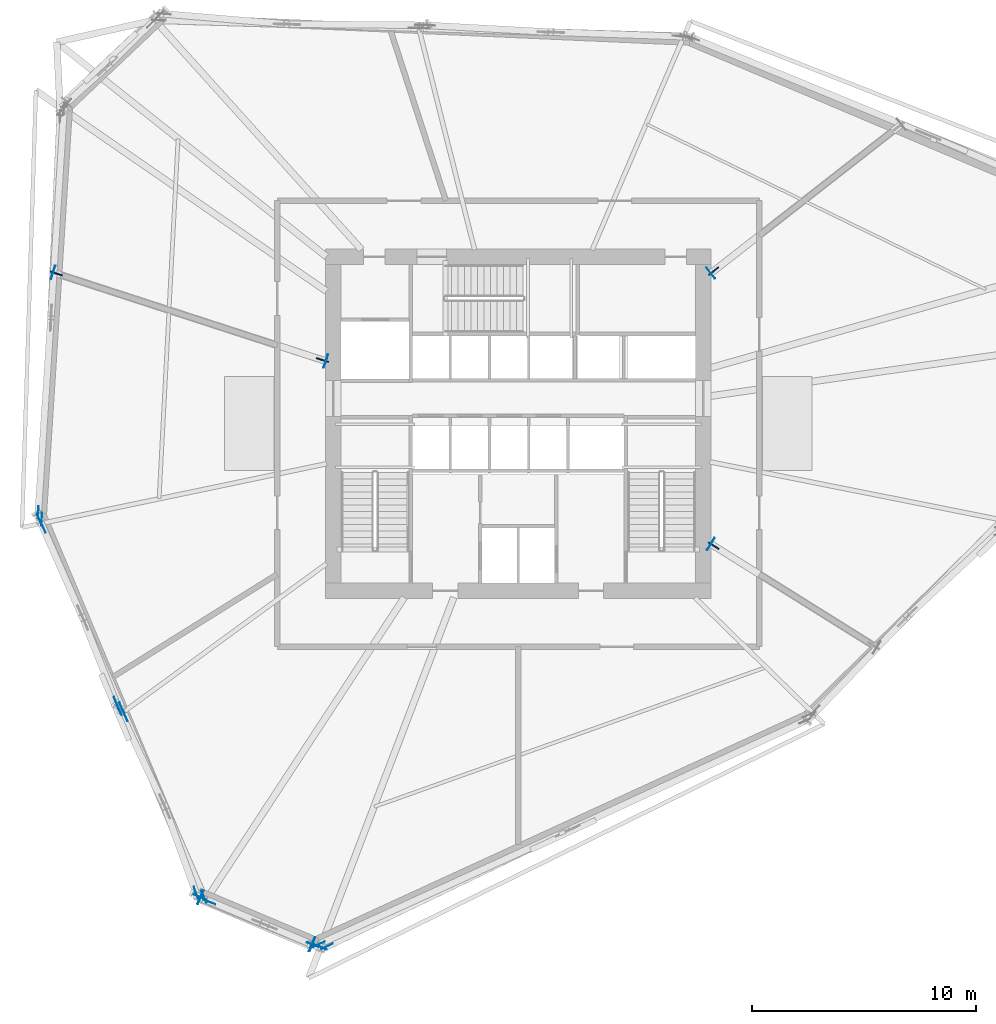
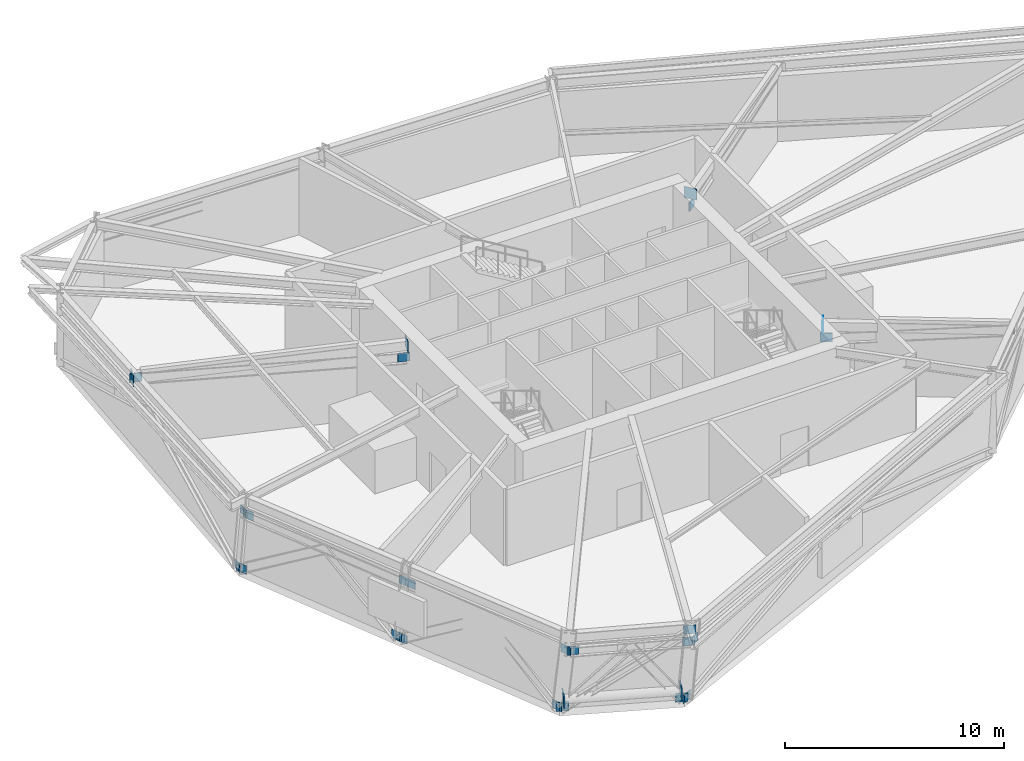
# One storey, part 5 of 15: 28 plates.
"""IFC4 building model written with IfcOpenShell, lengths in metres."""

import ifcopenshell
import ifcopenshell.guid

model = None  # the IFC model being written
_history = None  # IfcOwnerHistory: only IFC2X3 demands one
_inside = {}  # id of a spatial element -> (the spatial element, [elements in it])
_under = {}  # id of a project, library or spatial element -> (it, [spatial elements below it])
_declared = {}  # id of a project -> (the project, [libraries it declares])
_typed = {}  # id of a type object -> (the type object, [elements of that type])
_made_of = {}  # id of a material, layer set ... -> (it, [elements and type objects made of it])


def new_model(schema):
    """Start an empty IFC model of exactly this schema.

    Asked for "IFC4X3", IfcOpenShell would pick the latest addendum, in which some entities
    have other attributes; the version numbers below select the first issue.
    IFC2X3 requires an IfcOwnerHistory on every rooted entity: one is made here for all.
    """
    global model, _history
    if schema == "IFC4X3":
        model = ifcopenshell.file(schema_version=(4, 3, 0, 0))
    else:
        model = ifcopenshell.file(schema=schema)
    _inside.clear()
    _under.clear()
    _declared.clear()
    _typed.clear()
    _made_of.clear()
    _history = None
    if model.schema == "IFC2X3":
        org = make("IfcOrganization", Name="unknown")
        user = make(
            "IfcPersonAndOrganization",
            ThePerson=make("IfcPerson", FamilyName="unknown"),
            TheOrganization=org,
        )
        app = make(
            "IfcApplication",
            ApplicationDeveloper=org,
            Version="unknown",
            ApplicationFullName="unknown",
            ApplicationIdentifier="unknown",
        )
        _history = make(
            "IfcOwnerHistory",
            OwningUser=user,
            OwningApplication=app,
            ChangeAction="ADDED",
            CreationDate=0,
        )
    return model


def make(cls, **values):
    """One entity of the class cls with the attributes given. An attribute that is None is left unset."""
    return model.create_entity(
        cls, **{name: value for name, value in values.items() if value is not None}
    )


def rooted(cls, **values):
    """An entity with a GlobalId (a new one), such as an element, a storey or a relation."""
    return make(cls, GlobalId=ifcopenshell.guid.new(), OwnerHistory=_history, **values)


def si_unit(unit_type, name, prefix=None):
    """IfcSIUnit, for example si_unit("LENGTHUNIT", "METRE", prefix="MILLI")."""
    return make("IfcSIUnit", UnitType=unit_type, Prefix=prefix, Name=name)


def assignment(units):
    """IfcUnitAssignment: the units of a project."""
    return None if units is None else make("IfcUnitAssignment", Units=units)


def point(xyz):
    """IfcCartesianPoint."""
    return None if xyz is None else make("IfcCartesianPoint", Coordinates=xyz)


def direction(xyz):
    """IfcDirection."""
    return None if xyz is None else make("IfcDirection", DirectionRatios=xyz)


def frame(location, z_axis=None, x_axis=None):
    """IfcAxis2Placement3D, a coordinate frame: its origin and axes. An axis left out is left unset."""
    return make(
        "IfcAxis2Placement3D",
        Location=point(location),
        Axis=direction(z_axis),
        RefDirection=direction(x_axis),
    )


def frame_2d(location, x_axis=None):
    """IfcAxis2Placement2D, a coordinate frame in the plane: its origin and x axis."""
    return make(
        "IfcAxis2Placement2D", Location=point(location), RefDirection=direction(x_axis)
    )


def origin():
    """The frame at (0, 0, 0) with its axes left unset."""
    return frame((0.0, 0.0, 0.0))


def origin_2d():
    """The frame at (0, 0) in the plane with its x axis left unset."""
    return frame_2d((0.0, 0.0))


def place(relative_to, where):
    """IfcLocalPlacement: puts the frame where relative to a parent placement (None: the world)."""
    return make(
        "IfcLocalPlacement", PlacementRelTo=relative_to, RelativePlacement=where
    )


def context(
    kind, dimensions, precision=None, world=None, true_north=None, identifier=None
):
    """IfcGeometricRepresentationContext, for example the 3D "Model" context."""
    return make(
        "IfcGeometricRepresentationContext",
        ContextIdentifier=identifier,
        ContextType=kind,
        CoordinateSpaceDimension=dimensions,
        Precision=precision,
        WorldCoordinateSystem=world,
        TrueNorth=true_north,
    )


def subcontext(parent, identifier, kind, view, scale=None):
    """IfcGeometricRepresentationSubContext, for example "Body" below "Model"."""
    return make(
        "IfcGeometricRepresentationSubContext",
        ContextIdentifier=identifier,
        ContextType=kind,
        ParentContext=parent,
        TargetScale=scale,
        TargetView=view,
    )


def project(units=None, contexts=None):
    """IfcProject with its units and contexts."""
    return rooted(
        "IfcProject",
        Name="project",
        RepresentationContexts=contexts,
        UnitsInContext=assignment(units),
    )


def spatial(cls, under=None, at=None, **own):
    """A site, building, storey or space (cls), placed at a placement, below another one or the project."""
    s = rooted(cls, ObjectPlacement=at, **own)
    if under is not None:
        _under.setdefault(under.id(), (under, []))[1].append(s)
    return s


def profile(cls, at=None, kind="AREA", **sizes):
    """A parametric profile (cls). Its sizes go by their IFC names, for example OverallWidth=200.0."""
    return make(cls, ProfileType=kind, Position=at, **sizes)


def rectangle(**sizes):
    """IfcRectangleProfileDef."""
    return profile("IfcRectangleProfileDef", **sizes)


def extrude(swept, where, along, depth):
    """IfcExtrudedAreaSolid: the profile swept, set in the frame where, extruded along a direction by depth."""
    return make(
        "IfcExtrudedAreaSolid",
        SweptArea=swept,
        Position=where,
        ExtrudedDirection=direction(along),
        Depth=depth,
    )


def shape(context_of_items, identifier, shape_type, items):
    """IfcShapeRepresentation: the items that make up one representation, for example the "Body"."""
    return make(
        "IfcShapeRepresentation",
        ContextOfItems=context_of_items,
        RepresentationIdentifier=identifier,
        RepresentationType=shape_type,
        Items=items,
    )


def source(mapping_origin, context_of_items, identifier, shape_type, items):
    """IfcRepresentationMap: a shape defined once, which mapped items show again and again."""
    return make(
        "IfcRepresentationMap",
        MappingOrigin=mapping_origin,
        MappedRepresentation=shape(context_of_items, identifier, shape_type, items),
    )


def transform(
    local_origin,
    x_axis=None,
    y_axis=None,
    z_axis=None,
    scale=None,
    scale2=None,
    scale3=None,
    uniform=True,
):
    """IfcCartesianTransformationOperator3D, or its non-uniform kind. x_axis, y_axis, z_axis: its Axis1, 2, 3."""
    if uniform:
        return make(
            "IfcCartesianTransformationOperator3D",
            Axis1=direction(x_axis),
            Axis2=direction(y_axis),
            LocalOrigin=point(local_origin),
            Scale=scale,
            Axis3=direction(z_axis),
        )
    return make(
        "IfcCartesianTransformationOperator3DnonUniform",
        Axis1=direction(x_axis),
        Axis2=direction(y_axis),
        LocalOrigin=point(local_origin),
        Scale=scale,
        Axis3=direction(z_axis),
        Scale2=scale2,
        Scale3=scale3,
    )


def mapped(mapping_source, mapping_target):
    """IfcMappedItem: shows the shape of a source again, moved by a transform."""
    return make(
        "IfcMappedItem", MappingSource=mapping_source, MappingTarget=mapping_target
    )


def material(Name=None, Category=None):
    """IfcMaterial."""
    return make("IfcMaterial", Name=Name, Category=Category)


def made_of(thing, what):
    """Note that an element or type object is made of a material, layer set ...; save() writes the relation."""
    if what is not None:
        _made_of.setdefault(what.id(), (what, []))[1].append(thing)
    return thing


def type_object(cls, material=None, **own):
    """A type object (cls), such as IfcWallType, which elements share."""
    return made_of(rooted(cls, **own), material)


def element(
    cls,
    number,
    at=None,
    inside=None,
    cuts=None,
    type_object=None,
    material=None,
    context=None,
    identifier="Body",
    shape_type=None,
    held_by="IfcProductDefinitionShape",
    body=None,
    shapes=None,
    **own,
):
    """One element of the class cls, such as IfcWall. Its Tag is "e" and its number.

    at: its placement. inside: the storey or other place that contains it. cuts: it is an
    opening in that element (IfcRelVoidsElement). A single representation is given by context,
    identifier, shape_type and body (its items); several are given by shapes. held_by: the class
    of the entity that holds the representations. save() writes the other relations.
    """
    e = rooted(cls, Tag="e%d" % number, ObjectPlacement=at, **own)
    if body is not None:
        shapes = [shape(context, identifier, shape_type, body)]
    if shapes is not None:
        e.Representation = make(held_by, Representations=shapes)
    if inside is not None:
        _inside.setdefault(inside.id(), (inside, []))[1].append(e)
    if cuts is not None:
        rooted(
            "IfcRelVoidsElement", RelatingBuildingElement=cuts, RelatedOpeningElement=e
        )
    if type_object is not None:
        _typed.setdefault(type_object.id(), (type_object, []))[1].append(e)
    return made_of(e, material)


def aggregate(whole, parts):
    """IfcRelAggregates: a whole, such as a stair, and the parts it consists of."""
    return rooted("IfcRelAggregates", RelatingObject=whole, RelatedObjects=parts)


def save(model, path):
    """Write the relations noted so far, then the file.

    IfcRelAggregates (storeys below a building ...), IfcRelContainedInSpatialStructure (elements
    in a storey), IfcRelDefinesByType, IfcRelAssociatesMaterial and IfcRelDeclares: one each for
    every whole, place, type object, material and project.
    """
    for whole, parts in _under.values():
        aggregate(whole, parts)
    for where, things in _inside.values():
        rooted(
            "IfcRelContainedInSpatialStructure",
            RelatedElements=things,
            RelatingStructure=where,
        )
    for kind, things in _typed.values():
        rooted("IfcRelDefinesByType", RelatedObjects=things, RelatingType=kind)
    for what, things in _made_of.values():
        rooted("IfcRelAssociatesMaterial", RelatedObjects=things, RelatingMaterial=what)
    for by, libraries in _declared.values():
        rooted("IfcRelDeclares", RelatingContext=by, RelatedDefinitions=libraries)
    model.write(path)


model = new_model("IFC4")

# Units and contexts
model_context = context("Model", 3, precision=1e-05, world=origin(), true_north=direction((0.0, 1.0)))
body_context = subcontext(model_context, "Body", "Model", "MODEL_VIEW")
ifc_project = project(units=[si_unit("LENGTHUNIT", "METRE"), si_unit("AREAUNIT", "SQUARE_METRE"), si_unit("VOLUMEUNIT", "CUBIC_METRE"), si_unit("PLANEANGLEUNIT", "RADIAN"), si_unit("MASSUNIT", "GRAM", prefix="KILO")], contexts=[model_context])

# Site, building, storey
site_placement = place(None, origin())
site = spatial("IfcSite", under=ifc_project, at=site_placement, CompositionType="ELEMENT")
building_placement = place(site_placement, origin())
building = spatial("IfcBuilding", under=site, at=building_placement, Name="Olszyna Solenne Hotel", CompositionType="ELEMENT")
storey_placement = place(building_placement, frame((0.0, 0.0, 79.89990234375)))
storey = spatial("IfcBuildingStorey", under=building, at=storey_placement, Name="L20", CompositionType="ELEMENT", Elevation=79.89990234375)

# Plates
ifc_material_1 = material(Name="Steel S460M", Category="steel")
plate_type_1 = type_object("IfcPlateType", Name="GP-CAP2", PredefinedType="USERDEFINED", material=ifc_material_1)
shared_shape_1 = source(origin(), body_context, "Body", "SweptSolid", [
    extrude(rectangle(XDim=0.030029296875, YDim=0.6201171875, at=origin_2d()), origin(), (0.0, 0.0, 1.0), 0.6201171875),
])
for number, where, z_axis, x_axis, name in (
    (1, (46.58740234375, 21.23388671875, 3.489990234375), (0.0, 0.0, 1.0), (0.848048096156, -0.529919264233, 0.0), "Hollow section end-cap plate GP-CAP2 CP-OC-OC-L20-01-1"),
    (2, (46.588134765625, 33.309814453125, 3.489990234375), (0.0, 0.0, 1.0), (0.788010753607, 0.615661475326, 0.0), "Hollow section end-cap plate GP-CAP2 CP-OC-OC-L20-02-1"),
    (3, (29.414306640625, 29.3896484375, 3.489990234375), (0.0, 0.0, 1.0), (-0.951056516295, 0.309016994375, 0.0), "Hollow section end-cap plate GP-CAP2 CP-OC-OC-L20-03-1"),
    (4, (17.247314453125, 33.343017578125, 3.489990234375), (0.0, 0.0, 1.0), (-0.951056516295, 0.309016994375, 0.0), "Hollow section end-cap plate GP-CAP2 CP-OC-OC-L20-03-2"),
):
    element("IfcPlate", number, at=place(storey_placement, frame(where, z_axis=z_axis, x_axis=x_axis)), inside=storey, type_object=plate_type_1, Name=name, ObjectType="GUSSET_PLATE", PredefinedType="USERDEFINED", context=body_context, shape_type="MappedRepresentation", body=[
        mapped(shared_shape_1, transform((0.0, 0.0, 0.0), x_axis=(1.0, 0.0, 0.0), y_axis=(0.0, 1.0, 0.0), z_axis=(0.0, 0.0, 1.0), scale=1.0)),
    ])
ifc_material_2 = material(Name="Steel S355J2", Category="steel")
plate_type_2 = type_object("IfcPlateType", Name="GP-ND2", PredefinedType="USERDEFINED", material=ifc_material_2)
shared_shape_2 = source(origin(), body_context, "Body", "SweptSolid", [
    extrude(rectangle(XDim=0.56005859375, YDim=0.02001953125, at=origin_2d()), origin(), (0.0, 0.0, 1.0), 0.47998046875),
])
for number, where, z_axis, x_axis, name in (
    (5, (23.786865234375, 5.48876953125, -0.154296875), (0.0, 0.0, 1.0), (0.924213134976, -0.381877049766, 0.0), "Brace end connection gusset plate GP-ND2 EP-BR-L20-3-1"),
    (6, (29.20166015625, 3.250732421875, 3.6044921875), (0.0, 0.0, 1.0), (0.924213134976, -0.381877049766, 0.0), "Brace end connection gusset plate GP-ND2 EP-BR-L20-3-2"),
    (7, (16.742431640625, 22.336181640625, 2.960205078125), (0.0, 0.0, 1.0), (-0.045362988129, -0.998970569791, 0.0), "Brace end connection gusset plate GP-ND2 EP-CH-L20-06-2"),
    (8, (16.58544921875, 22.645263671875, -0.17236328125), (0.0, 0.0, 1.0), (0.065054806779, 0.997881692444, 0.0), "Brace end connection gusset plate GP-ND2 EP-BT-L20-06-2-1"),
    (9, (16.805908203125, 21.9912109375, 2.960205078125), (0.0, 0.0, 1.0), (0.398749068925, -0.917060074385, 0.0), "Brace end connection gusset plate GP-ND2 EP-CH-L20-07-1"),
    (10, (20.321044921875, 13.908447265625, 2.960205078125), (0.0, 0.0, 1.0), (0.398749068925, -0.917060074385, 0.0), "Brace end connection gusset plate GP-ND2 EP-CH-L20-07-2"),
    (11, (16.63720703125, 22.32958984375, -0.143798828125), (0.0, 0.0, 1.0), (0.402586931735, -0.915381757736, 0.0), "Brace end connection gusset plate GP-ND2 EP-BT-L20-07-1-1"),
    (12, (20.069580078125, 14.14453125, -0.135498046875), (0.0, 0.0, 1.0), (-0.367962270469, 0.929840721582, 0.0), "Brace end connection gusset plate GP-ND2 EP-BT-L20-07-2-1"),
    (13, (20.464599609375, 13.578125, 2.960205078125), (0.0, 0.0, 1.0), (0.398749068925, -0.917060074385, 0.0), "Brace end connection gusset plate GP-ND2 EP-CH-L20-08-1"),
    (14, (23.97998046875, 5.49560546875, 2.960205078125), (0.0, 0.0, 1.0), (0.398749068925, -0.917060074385, 0.0), "Brace end connection gusset plate GP-ND2 EP-CH-L20-08-2"),
    (15, (20.191650390625, 13.860595703125, -0.1435546875), (0.0, 0.0, 1.0), (0.425147499407, -0.905124081962, 0.0), "Brace end connection gusset plate GP-ND2 EP-BT-L20-08-1-1"),
    (16, (23.624267578125, 5.67578125, -0.135498046875), (0.0, 0.0, 1.0), (-0.341364030823, 0.939931166873, 0.0), "Brace end connection gusset plate GP-ND2 EP-BT-L20-08-2-1"),
    (17, (24.218505859375, 5.26318359375, 2.960205078125), (0.0, 0.0, 1.0), (0.927183854567, -0.374606593416, 0.0), "Brace end connection gusset plate GP-ND2 EP-CH-L20-09-1"),
    (18, (29.143798828125, 3.273193359375, 2.960205078125), (0.0, 0.0, 1.0), (0.927183854567, -0.374606593416, 0.0), "Brace end connection gusset plate GP-ND2 EP-CH-L20-09-2"),
    (19, (23.806640625, 5.4794921875, -0.12158203125), (0.0, 0.0, 1.0), (0.921524629468, -0.388319916157, 0.0), "Brace end connection gusset plate GP-ND2 EP-BT-L20-09-1-1"),
    (20, (28.835205078125, 3.35546875, -0.108642578125), (0.0, 0.0, 1.0), (-0.920777410896, 0.390088399704, 0.0), "Brace end connection gusset plate GP-ND2 EP-BT-L20-09-2-1"),
    (21, (29.472900390625, 3.28369140625, 2.960205078125), (0.0, 0.0, 1.0), (0.901228341999, 0.433344522957, 0.0), "Brace end connection gusset plate GP-ND2 EP-CH-L20-10-1"),
    (22, (29.109619140625, 3.3798828125, -0.18505859375), (0.0, 0.0, 1.0), (0.909671538649, 0.415328414356, 0.0), "Brace end connection gusset plate GP-ND2 EP-BT-L20-10-1-1"),
):
    element("IfcPlate", number, at=place(storey_placement, frame(where, z_axis=z_axis, x_axis=x_axis)), inside=storey, type_object=plate_type_2, Name=name, ObjectType="GUSSET_PLATE", PredefinedType="USERDEFINED", context=body_context, shape_type="MappedRepresentation", body=[
        mapped(shared_shape_2, transform((0.0, 0.0, 0.0), x_axis=(1.0, 0.0, 0.0), y_axis=(0.0, 1.0, 0.0), z_axis=(0.0, 0.0, 1.0), scale=1.0)),
    ])
plate_type_3 = type_object("IfcPlateType", Name="GP-ND1", PredefinedType="USERDEFINED", material=ifc_material_1)
shared_shape_3 = source(origin(), body_context, "Body", "SweptSolid", [
    extrude(rectangle(XDim=0.56005859375, YDim=0.06005859375, at=origin_2d()), origin(), (0.0, 0.0, 1.0), 0.47998046875),
])
for number, where, z_axis, x_axis, name in (
    (23, (46.71826171875, 21.152099609375, 2.871337890625), (0.0, 0.0, 1.0), (0.848048096156, -0.529919264233, 0.0), "Brace end connection gusset plate GP-ND1 EP-OU-L20-01-1"),
    (24, (46.710205078125, 33.405029296875, 2.869140625), (0.0, 0.0, 1.0), (0.788010753607, 0.615661475326, 0.0), "Brace end connection gusset plate GP-ND1 EP-OU-L20-02-1"),
    (25, (29.26708984375, 29.4375, 2.867919921875), (0.0, 0.0, 1.0), (-0.951056516295, 0.309016994375, 0.0), "Brace end connection gusset plate GP-ND1 EP-OU-L20-03-1"),
    (26, (17.394287109375, 33.295166015625, 3.552490234375), (0.0, 0.0, 1.0), (-0.951056516295, 0.309016994375, 0.0), "Brace end connection gusset plate GP-ND1 EP-OU-L20-03-2"),
):
    element("IfcPlate", number, at=place(storey_placement, frame(where, z_axis=z_axis, x_axis=x_axis)), inside=storey, type_object=plate_type_3, Name=name, ObjectType="GUSSET_PLATE", PredefinedType="USERDEFINED", context=body_context, shape_type="MappedRepresentation", body=[
        mapped(shared_shape_3, transform((0.0, 0.0, 0.0), x_axis=(1.0, 0.0, 0.0), y_axis=(0.0, 1.0, 0.0), z_axis=(0.0, 0.0, 1.0), scale=1.0)),
    ])
plate_type_4 = type_object("IfcPlateType", Name="GP-CAP1", PredefinedType="USERDEFINED", material=ifc_material_1)
shared_shape_4 = source(origin(), body_context, "Body", "SweptSolid", [
    extrude(rectangle(XDim=0.0400390625, YDim=0.659912109375, at=origin_2d()), origin(), (0.0, 0.0, 1.0), 0.659912109375),
])
for number, where, z_axis, x_axis, name in (
    (27, (23.825439453125, 5.471435546875, 0.22021484375), (0.0, 0.0, 1.0), (0.921185405566, -0.38912395014, 0.0), "Hollow section end-cap plate GP-CAP1 CP-CTB-CTB-L20-3-1"),
    (28, (28.802490234375, 3.368896484375, 0.22021484375), (0.0, 0.0, 1.0), (0.921185405566, -0.38912395014, 0.0), "Hollow section end-cap plate GP-CAP1 CP-CTB-CTB-L20-3-2"),
):
    element("IfcPlate", number, at=place(storey_placement, frame(where, z_axis=z_axis, x_axis=x_axis)), inside=storey, type_object=plate_type_4, Name=name, ObjectType="GUSSET_PLATE", PredefinedType="USERDEFINED", context=body_context, shape_type="MappedRepresentation", body=[
        mapped(shared_shape_4, transform((0.0, 0.0, 0.0), x_axis=(1.0, 0.0, 0.0), y_axis=(0.0, 1.0, 0.0), z_axis=(0.0, 0.0, 1.0), scale=1.0)),
    ])

save(model, "model.ifc")
